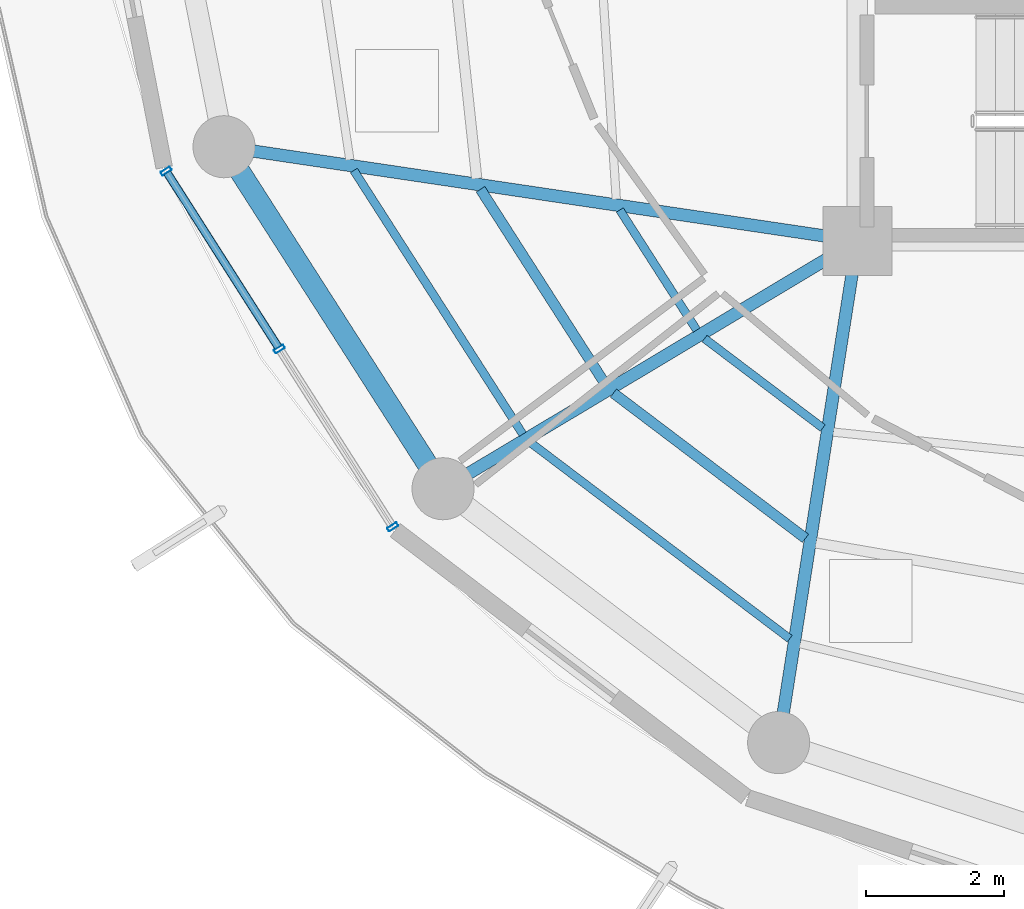
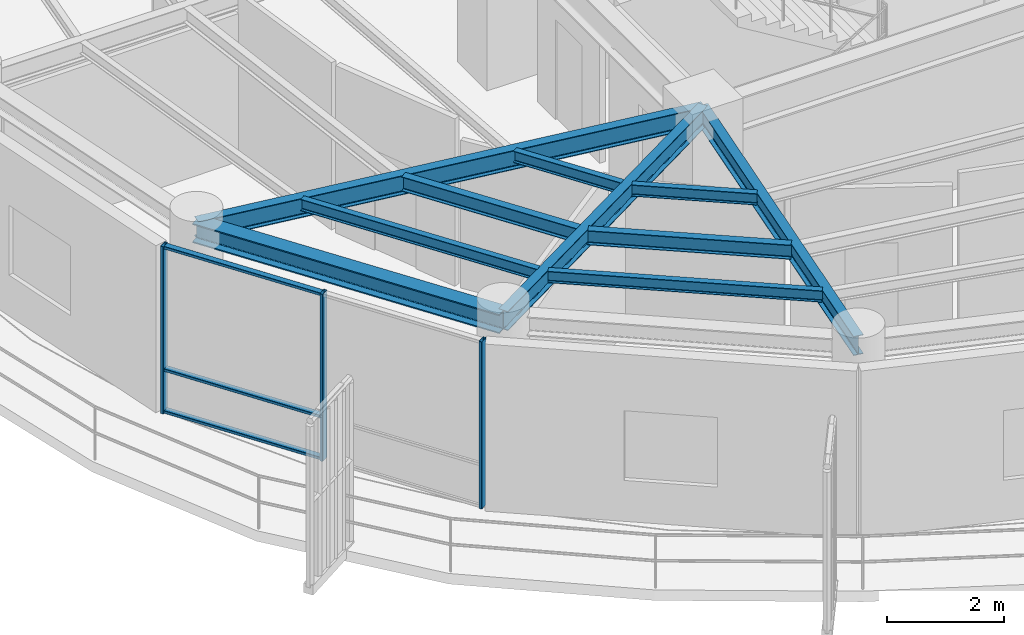
# One storey, part 2 of 22: 10 beams, 6 members, 1 element without a shape of its own.
"""IFC4 building model written with IfcOpenShell, lengths in metres."""

from ifc_helpers import new_model, si_unit, direction, frame, origin, origin_2d, place, context, subcontext, project, spatial, hollow_rectangle, i_section, extrude, material, layer, layer_set, material_profile, profile_set, type_object, element, aggregate, save


model = new_model("IFC4")

# Units and contexts
model_context = context("Model", 3, precision=1e-05, world=origin(), true_north=direction((0.0, 1.0)))
body_context = subcontext(model_context, "Body", "Model", "MODEL_VIEW")
ifc_project = project(units=[si_unit("LENGTHUNIT", "METRE"), si_unit("AREAUNIT", "SQUARE_METRE"), si_unit("VOLUMEUNIT", "CUBIC_METRE"), si_unit("PLANEANGLEUNIT", "RADIAN"), si_unit("MASSUNIT", "GRAM", prefix="KILO")], contexts=[model_context])

# Site, building, storey
site_placement = place(None, origin())
site = spatial("IfcSite", under=ifc_project, at=site_placement, CompositionType="ELEMENT")
building_placement = place(site_placement, origin())
building = spatial("IfcBuilding", under=site, at=building_placement, Name="Kelanora Arch Commons", CompositionType="ELEMENT")
storey_placement = place(building_placement, frame((0.0, 0.0, 263.699951171875)))
storey = spatial("IfcBuildingStorey", under=building, at=storey_placement, Name="L67", CompositionType="ELEMENT", Elevation=263.699951171875)

# Beams
ifc_material_1 = material(Name="Steel S355", Category="steel")
ifc_material_profile_1 = material_profile(ifc_material_1, i_section(OverallWidth=0.14990234375, OverallDepth=0.300048828125, WebThickness=0.007080078125, FlangeThickness=0.0107421875, FilletRadius=0.014892578125, at=origin_2d()), Name="IPE300")
ifc_profile_set_1 = profile_set([ifc_material_profile_1], Name="Steel S355")
beam_type_1 = type_object("IfcBeamType", Name="BM-JST-01", PredefinedType="JOIST", material=ifc_profile_set_1)
beam_1_placement = place(storey_placement, frame((60.539306640625, 51.74658203125, 3.340087890625), z_axis=(0.539321586177, -0.842099891155, 0.0), x_axis=(0.842099891155, 0.539321586177, 0.0)))
element("IfcBeam", 1, at=beam_1_placement, inside=storey, type_object=beam_type_1, Name="Secondary Chord Joist BJB-20 L67", PredefinedType="JOIST", context=body_context, shape_type="SweptSolid", body=[
    extrude(i_section(OverallWidth=0.14990234375, OverallDepth=0.300048828125, WebThickness=0.007080078125, FlangeThickness=0.0107421875, FilletRadius=0.014892578125, at=origin_2d()), origin(), (0.0, 0.0, 1.0), 3.361572265625),
])
beam_2_placement = place(storey_placement, frame((62.4658203125, 48.79296875, 3.340087890625), z_axis=(0.797499198801, -0.603320004568, 0.0), x_axis=(0.603320004568, 0.797499198801, 0.0)))
element("IfcBeam", 2, at=beam_2_placement, inside=storey, type_object=beam_type_1, Name="Secondary Chord Joist BJB-22 L67", PredefinedType="JOIST", context=body_context, shape_type="SweptSolid", body=[
    extrude(i_section(OverallWidth=0.14990234375, OverallDepth=0.300048828125, WebThickness=0.007080078125, FlangeThickness=0.0107421875, FilletRadius=0.014892578125, at=origin_2d()), origin(), (0.0, 0.0, 1.0), 3.489013671875),
])
ifc_material_profile_2 = material_profile(ifc_material_1, i_section(OverallWidth=0.1201171875, OverallDepth=0.239990234375, WebThickness=0.006103515625, FlangeThickness=0.009765625, FilletRadius=0.014892578125, at=origin_2d()), Name="IPE240")
ifc_profile_set_2 = profile_set([ifc_material_profile_2], Name="Steel S355")
beam_type_2 = type_object("IfcBeamType", Name="BM-JST-02", PredefinedType="JOIST", material=ifc_profile_set_2)
beam_3_placement = place(storey_placement, frame((62.558349609375, 51.446533203125, 3.3701171875), z_axis=(0.539311810315, -0.842106152011, 0.0), x_axis=(0.842106152011, 0.539311810315, 0.0)))
element("IfcBeam", 3, at=beam_3_placement, inside=storey, type_object=beam_type_2, Name="Secondary Chord Joist BJA-20 L67", PredefinedType="JOIST", context=body_context, shape_type="SweptSolid", body=[
    extrude(i_section(OverallWidth=0.1201171875, OverallDepth=0.239990234375, WebThickness=0.006103515625, FlangeThickness=0.009765625, FilletRadius=0.014892578125, at=origin_2d()), origin(), (0.0, 0.0, 1.0), 2.06640625),
])
beam_4_placement = place(storey_placement, frame((58.703857421875, 52.019287109375, 3.3701171875), z_axis=(0.539288735289, -0.842120929552, 0.0), x_axis=(0.842120929552, 0.539288735289, 0.0)))
element("IfcBeam", 4, at=beam_4_placement, inside=storey, type_object=beam_type_2, Name="Secondary Chord Joist BJC-20 L67", PredefinedType="JOIST", context=body_context, shape_type="SweptSolid", body=[
    extrude(i_section(OverallWidth=0.1201171875, OverallDepth=0.239990234375, WebThickness=0.006103515625, FlangeThickness=0.009765625, FilletRadius=0.014892578125, at=origin_2d()), origin(), (0.0, 0.0, 1.0), 4.538818359375),
])
beam_5_placement = place(storey_placement, frame((63.78662109375, 49.583251953125, 3.3701171875), z_axis=(0.797509883882, -0.603305880222, 0.0), x_axis=(0.603305880222, 0.797509883882, 0.0)))
element("IfcBeam", 5, at=beam_5_placement, inside=storey, type_object=beam_type_2, Name="Secondary Chord Joist BJA-22 L67", PredefinedType="JOIST", context=body_context, shape_type="SweptSolid", body=[
    extrude(i_section(OverallWidth=0.1201171875, OverallDepth=0.239990234375, WebThickness=0.006103515625, FlangeThickness=0.009765625, FilletRadius=0.014892578125, at=origin_2d()), origin(), (0.0, 0.0, 1.0), 2.147216796875),
])
beam_6_placement = place(storey_placement, frame((61.26513671875, 48.07421875, 3.3701171875), z_axis=(0.79752302984, -0.60328850219, 0.0), x_axis=(0.60328850219, 0.79752302984, 0.0)))
element("IfcBeam", 6, at=beam_6_placement, inside=storey, type_object=beam_type_2, Name="Secondary Chord Joist BJC-22 L67", PredefinedType="JOIST", context=body_context, shape_type="SweptSolid", body=[
    extrude(i_section(OverallWidth=0.1201171875, OverallDepth=0.239990234375, WebThickness=0.006103515625, FlangeThickness=0.009765625, FilletRadius=0.014892578125, at=origin_2d()), origin(), (0.0, 0.0, 1.0), 4.70849609375),
])
ifc_material_profile_3 = material_profile(ifc_material_1, i_section(OverallWidth=0.179931640625, OverallDepth=0.39990234375, WebThickness=0.008544921875, FlangeThickness=0.013427734375, FilletRadius=0.02099609375, at=origin_2d()), Name="IPE400")
ifc_profile_set_3 = profile_set([ifc_material_profile_3], Name="Steel S355")
beam_type_3 = type_object("IfcBeamType", Name="BM-RAD-Z5", PredefinedType="BEAM", material=ifc_profile_set_3)
beam_7_placement = place(storey_placement, frame((66.0, 51.0, 3.2900390625), z_axis=(-0.989142485564, 0.146959665395, 0.0), x_axis=(-0.146959665395, -0.989142485564, 0.0)))
element("IfcBeam", 7, at=beam_7_placement, inside=storey, type_object=beam_type_3, Name="Radial Floor Girder BR-20 L67", PredefinedType="BEAM", context=body_context, shape_type="SweptSolid", body=[
    extrude(i_section(OverallWidth=0.179931640625, OverallDepth=0.39990234375, WebThickness=0.008544921875, FlangeThickness=0.013427734375, FilletRadius=0.02099609375, at=origin_2d()), origin(), (0.0, 0.0, 1.0), 9.2783203125),
])
beam_8_placement = place(storey_placement, frame((66.0, 51.0, 3.2900390625), z_axis=(-0.858062005744, -0.513546097541, 0.0), x_axis=(0.513546097541, -0.858062005744, 0.0)))
element("IfcBeam", 8, at=beam_8_placement, inside=storey, type_object=beam_type_3, Name="Radial Floor Girder BR-22 L67", PredefinedType="BEAM", context=body_context, shape_type="SweptSolid", body=[
    extrude(i_section(OverallWidth=0.179931640625, OverallDepth=0.39990234375, WebThickness=0.008544921875, FlangeThickness=0.013427734375, FilletRadius=0.02099609375, at=origin_2d()), origin(), (0.0, 0.0, 1.0), 6.99658203125),
])
beam_9_placement = place(storey_placement, frame((66.0, 51.0, 3.2900390625), z_axis=(-0.154855424129, -0.987937142544, 0.0), x_axis=(0.987937142544, -0.154855424129, 0.0)))
element("IfcBeam", 9, at=beam_9_placement, inside=storey, type_object=beam_type_3, Name="Radial Floor Girder BR-24 L67", PredefinedType="BEAM", context=body_context, shape_type="SweptSolid", body=[
    extrude(i_section(OverallWidth=0.179931640625, OverallDepth=0.39990234375, WebThickness=0.008544921875, FlangeThickness=0.013427734375, FilletRadius=0.02099609375, at=origin_2d()), origin(), (0.0, 0.0, 1.0), 7.361083984375),
])
ifc_material_profile_4 = material_profile(ifc_material_1, i_section(OverallWidth=0.300048828125, OverallDepth=0.39990234375, WebThickness=0.013427734375, FlangeThickness=0.02392578125, FilletRadius=0.027099609375, at=origin_2d()), Name="HEB400")
ifc_profile_set_4 = profile_set([ifc_material_profile_4], Name="Steel S355")
beam_type_4 = type_object("IfcBeamType", Name="BM-SPN-Z4", PredefinedType="SPANDREL", material=ifc_profile_set_4)
beam_10_placement = place(storey_placement, frame((56.822509765625, 52.363525390625, 3.2900390625), z_axis=(0.539280851353, -0.842125978322, 0.0), x_axis=(0.842125978322, 0.539280851353, 0.0)))
element("IfcBeam", 10, at=beam_10_placement, inside=storey, type_object=beam_type_4, Name="Perimeter Spandrel Beam BS-20 L67", PredefinedType="SPANDREL", context=body_context, shape_type="SweptSolid", body=[
    extrude(i_section(OverallWidth=0.300048828125, OverallDepth=0.39990234375, WebThickness=0.013427734375, FlangeThickness=0.02392578125, FilletRadius=0.027099609375, at=origin_2d()), origin(), (0.0, 0.0, 1.0), 5.8857421875),
])

# Curtain wall, members
ifc_material_2 = material(Name="Terracotta ceramic-fritted low-E glass and aluminium", Category="masonry")
ifc_layer = layer(ifc_material_2, 0.18994140625)
ifc_layer_set = layer_set([ifc_layer], Name="Terracotta ceramic-fritted low-E glass and aluminium")
curtain_wall_type = type_object("IfcCurtainWallType", Name="CW-SYS-03", PredefinedType="NOTDEFINED", material=ifc_layer_set)
curtain_wall_placement = place(storey_placement, origin())
curtain_wall = element("IfcCurtainWall", 11, at=curtain_wall_placement, inside=storey, type_object=curtain_wall_type, Name="Unitised Curtain Wall L67-B10", PredefinedType="NOTDEFINED")
ifc_material_3 = material(Name="Powder-coated aluminium terracotta", Category="masonry")
ifc_material_profile_5 = material_profile(ifc_material_3, hollow_rectangle(XDim=0.159912109375, YDim=0.06005859375, WallThickness=0.0048828125, InnerFilletRadius=0.0048828125, OuterFilletRadius=0.010009765625, at=origin_2d()), Name="CWM160x60")
ifc_profile_set_5 = profile_set([ifc_material_profile_5], Name="Powder-coated aluminium terracotta")
member_type_1 = type_object("IfcMemberType", Name="CWM-STD", PredefinedType="MULLION", material=ifc_profile_set_5)
member_1_placement = place(storey_placement, frame((55.982177734375, 52.0107421875, 0.0), z_axis=(0.0, 0.0, 1.0), x_axis=(0.843391314545, 0.537299814397, 0.0)))
member_1 = element("IfcMember", 12, at=member_1_placement, type_object=member_type_1, Name="CW-03 mullion 1", PredefinedType="MULLION", context=body_context, shape_type="SweptSolid", body=[
    extrude(hollow_rectangle(XDim=0.159912109375, YDim=0.06005859375, WallThickness=0.0048828125, InnerFilletRadius=0.0048828125, OuterFilletRadius=0.010009765625, at=origin_2d()), origin(), (0.0, 0.0, 1.0), 3.47509765625),
])
member_2_placement = place(storey_placement, frame((57.625, 49.43212890625, 0.0), z_axis=(0.0, 0.0, 1.0), x_axis=(0.843391314545, 0.537299814397, 0.0)))
member_2 = element("IfcMember", 13, at=member_2_placement, type_object=member_type_1, Name="CW-03 mullion 2", PredefinedType="MULLION", context=body_context, shape_type="SweptSolid", body=[
    extrude(hollow_rectangle(XDim=0.159912109375, YDim=0.06005859375, WallThickness=0.0048828125, InnerFilletRadius=0.0048828125, OuterFilletRadius=0.010009765625, at=origin_2d()), origin(), (0.0, 0.0, 1.0), 3.47509765625),
])
member_3_placement = place(storey_placement, frame((59.267578125, 46.853515625, 0.0), z_axis=(0.0, 0.0, 1.0), x_axis=(0.843391314545, 0.537299814397, 0.0)))
member_3 = element("IfcMember", 14, at=member_3_placement, type_object=member_type_1, Name="CW-03 mullion 3", PredefinedType="MULLION", context=body_context, shape_type="SweptSolid", body=[
    extrude(hollow_rectangle(XDim=0.159912109375, YDim=0.06005859375, WallThickness=0.0048828125, InnerFilletRadius=0.0048828125, OuterFilletRadius=0.010009765625, at=origin_2d()), origin(), (0.0, 0.0, 1.0), 3.47509765625),
])
ifc_material_profile_6 = material_profile(ifc_material_3, hollow_rectangle(XDim=0.1201171875, YDim=0.06005859375, WallThickness=0.0048828125, InnerFilletRadius=0.0048828125, OuterFilletRadius=0.010009765625, at=origin_2d()), Name="CWT120x60")
ifc_profile_set_6 = profile_set([ifc_material_profile_6], Name="Powder-coated aluminium terracotta")
member_type_2 = type_object("IfcMemberType", Name="CWT-STD", PredefinedType="USERDEFINED", material=ifc_profile_set_6)
member_4_placement = place(storey_placement, frame((55.998291015625, 51.985595703125, 0.030029296875), z_axis=(0.537307571338, -0.843386372775, 0.0), x_axis=(0.843386372775, 0.537307571338, 0.0)))
member_4 = element("IfcMember", 15, at=member_4_placement, type_object=member_type_2, Name="CW-03 transom 1.1", ObjectType="TRANSOM", PredefinedType="USERDEFINED", context=body_context, shape_type="SweptSolid", body=[
    extrude(hollow_rectangle(XDim=0.1201171875, YDim=0.06005859375, WallThickness=0.0048828125, InnerFilletRadius=0.0048828125, OuterFilletRadius=0.010009765625, at=origin_2d()), origin(), (0.0, 0.0, 1.0), 2.99755859375),
])
member_5_placement = place(storey_placement, frame((55.998291015625, 51.985595703125, 0.900146484375), z_axis=(0.537307571338, -0.843386372775, 0.0), x_axis=(0.843386372775, 0.537307571338, 0.0)))
member_5 = element("IfcMember", 16, at=member_5_placement, type_object=member_type_2, Name="CW-03 transom 1.2", ObjectType="TRANSOM", PredefinedType="USERDEFINED", context=body_context, shape_type="SweptSolid", body=[
    extrude(hollow_rectangle(XDim=0.1201171875, YDim=0.06005859375, WallThickness=0.0048828125, InnerFilletRadius=0.0048828125, OuterFilletRadius=0.010009765625, at=origin_2d()), origin(), (0.0, 0.0, 1.0), 2.99755859375),
])
member_6_placement = place(storey_placement, frame((55.998291015625, 51.985595703125, 3.445068359375), z_axis=(0.537307571338, -0.843386372775, 0.0), x_axis=(0.843386372775, 0.537307571338, 0.0)))
member_6 = element("IfcMember", 17, at=member_6_placement, type_object=member_type_2, Name="CW-03 transom 1.3", ObjectType="TRANSOM", PredefinedType="USERDEFINED", context=body_context, shape_type="SweptSolid", body=[
    extrude(hollow_rectangle(XDim=0.1201171875, YDim=0.06005859375, WallThickness=0.0048828125, InnerFilletRadius=0.0048828125, OuterFilletRadius=0.010009765625, at=origin_2d()), origin(), (0.0, 0.0, 1.0), 2.99755859375),
])
aggregate(curtain_wall, [member_1, member_2, member_3, member_4, member_5, member_6])

save(model, "model.ifc")
